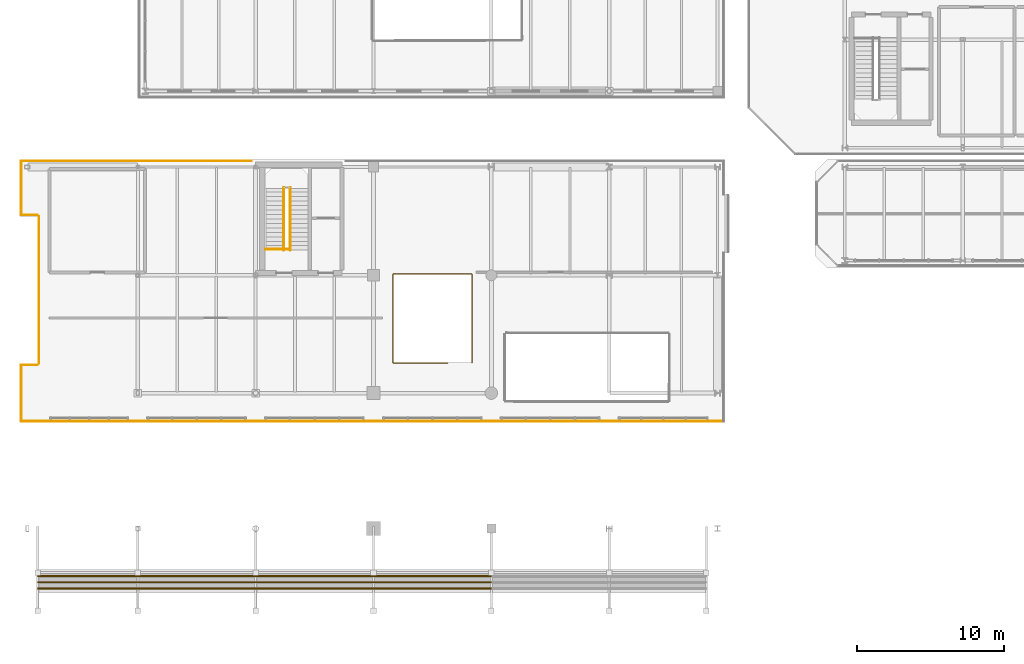
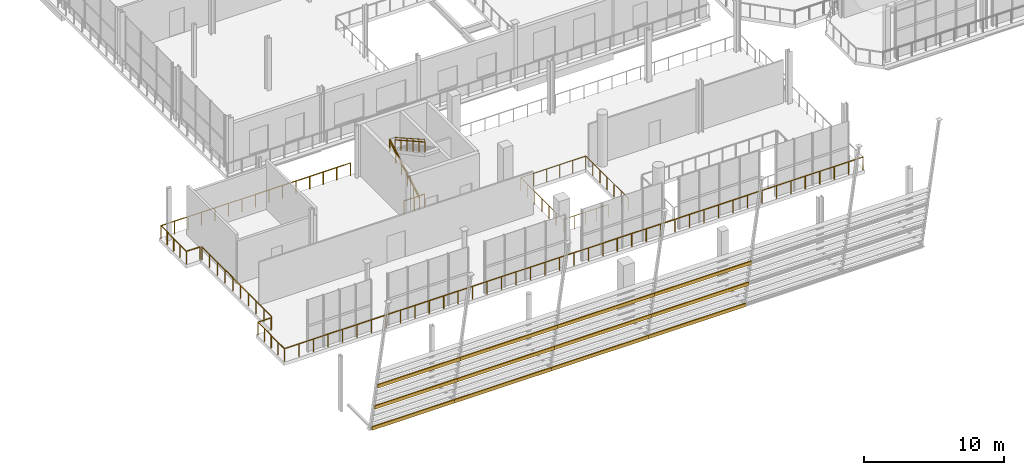
# One storey, part 79 of 93: 13 railings, 12 coverings.
"""IFC4 building model written with IfcOpenShell, lengths in metres."""

from ifc_helpers import new_model, si_unit, direction, frame, origin, origin_2d, place, context, subcontext, project, spatial, rectangle, circle, extrude, material, layer, layer_set, type_object, element, save


model = new_model("IFC4")

# Units and contexts
model_context = context("Model", 3, precision=1e-05, world=origin(), true_north=direction((0.0, 1.0)))
body_context = subcontext(model_context, "Body", "Model", "MODEL_VIEW")
ifc_project = project(units=[si_unit("LENGTHUNIT", "METRE"), si_unit("AREAUNIT", "SQUARE_METRE"), si_unit("VOLUMEUNIT", "CUBIC_METRE"), si_unit("PLANEANGLEUNIT", "RADIAN"), si_unit("MASSUNIT", "GRAM", prefix="KILO")], contexts=[model_context])

# Site, building, storey
site_placement = place(None, origin())
site = spatial("IfcSite", under=ifc_project, at=site_placement, CompositionType="ELEMENT")
building_placement = place(site_placement, origin())
building = spatial("IfcBuilding", under=site, at=building_placement, Name="Brisemont Oceanarium", CompositionType="ELEMENT")
storey_placement = place(building_placement, frame((0.0, 0.0, 5.39990234375)))
storey = spatial("IfcBuildingStorey", under=building, at=storey_placement, Name="L01", CompositionType="ELEMENT", Elevation=5.39990234375)

# Coverings
ifc_material_1 = material(Name="Architectural Bronze-Anodized Cedar Composite")
ifc_layer = layer(ifc_material_1, 0.044921875)
ifc_layer_set = layer_set([ifc_layer], Name="Architectural Bronze-Anodized Cedar Composite")
covering_type = type_object("IfcCoveringType", Name="COV-CLAD-CEDAR", PredefinedType="CLADDING", material=ifc_layer_set)
covering_1_placement = place(storey_placement, frame((12.60009765625, 3.58642578125, -0.02001953125), z_axis=(0.0, 0.0, 1.0), x_axis=(1.0, 0.0, 0.0)))
element("IfcCovering", 1, at=covering_1_placement, inside=storey, type_object=covering_type, Name="V2 stepped spandrel cladding course 1.1", PredefinedType="CLADDING", context=body_context, shape_type="SweptSolid", body=[
    extrude(rectangle(XDim=6.800048828125, YDim=0.080078125, at=origin_2d()), origin(), (0.0, 0.0, 1.0), 0.300048828125),
])
for number, where, z_axis, x_axis, name in (
    (2, (20.0, 3.58642578125, -0.02001953125), (0.0, 0.0, 1.0), (1.0, 0.0, 0.0), "V2 stepped spandrel cladding course 1.2"),
    (3, (28.0, 3.58642578125, -0.02001953125), (0.0, 0.0, 1.0), (1.0, 0.0, 0.0), "V2 stepped spandrel cladding course 1.3"),
    (4, (36.0, 3.58642578125, -0.02001953125), (0.0, 0.0, 1.0), (1.0, 0.0, 0.0), "V2 stepped spandrel cladding course 1.4"),
):
    element("IfcCovering", number, at=place(storey_placement, frame(where, z_axis=z_axis, x_axis=x_axis)), inside=storey, type_object=covering_type, Name=name, PredefinedType="CLADDING", context=body_context, shape_type="SweptSolid", body=[
        extrude(rectangle(XDim=8.0, YDim=0.080078125, at=origin_2d()), origin(), (0.0, 0.0, 1.0), 0.300048828125),
    ])
covering_2_placement = place(storey_placement, frame((12.60009765625, 3.1591796875, 2.080078125), z_axis=(0.0, 0.0, 1.0), x_axis=(1.0, 0.0, 0.0)))
element("IfcCovering", 5, at=covering_2_placement, inside=storey, type_object=covering_type, Name="V2 stepped spandrel cladding course 2.1", PredefinedType="CLADDING", context=body_context, shape_type="SweptSolid", body=[
    extrude(rectangle(XDim=6.800048828125, YDim=0.080078125, at=origin_2d()), origin(), (0.0, 0.0, 1.0), 0.300048828125),
])
for number, where, z_axis, x_axis, name in (
    (6, (20.0, 3.1591796875, 2.080078125), (0.0, 0.0, 1.0), (1.0, 0.0, 0.0), "V2 stepped spandrel cladding course 2.2"),
    (7, (28.0, 3.1591796875, 2.080078125), (0.0, 0.0, 1.0), (1.0, 0.0, 0.0), "V2 stepped spandrel cladding course 2.3"),
    (8, (36.0, 3.1591796875, 2.080078125), (0.0, 0.0, 1.0), (1.0, 0.0, 0.0), "V2 stepped spandrel cladding course 2.4"),
):
    element("IfcCovering", number, at=place(storey_placement, frame(where, z_axis=z_axis, x_axis=x_axis)), inside=storey, type_object=covering_type, Name=name, PredefinedType="CLADDING", context=body_context, shape_type="SweptSolid", body=[
        extrude(rectangle(XDim=8.0, YDim=0.080078125, at=origin_2d()), origin(), (0.0, 0.0, 1.0), 0.300048828125),
    ])
covering_3_placement = place(storey_placement, frame((12.60009765625, 2.73193359375, 4.18017578125), z_axis=(0.0, 0.0, 1.0), x_axis=(1.0, 0.0, 0.0)))
element("IfcCovering", 9, at=covering_3_placement, inside=storey, type_object=covering_type, Name="V2 stepped spandrel cladding course 3.1", PredefinedType="CLADDING", context=body_context, shape_type="SweptSolid", body=[
    extrude(rectangle(XDim=6.800048828125, YDim=0.080078125, at=origin_2d()), origin(), (0.0, 0.0, 1.0), 0.300048828125),
])
for number, where, z_axis, x_axis, name in (
    (10, (20.0, 2.73193359375, 4.18017578125), (0.0, 0.0, 1.0), (1.0, 0.0, 0.0), "V2 stepped spandrel cladding course 3.2"),
    (11, (28.0, 2.73193359375, 4.18017578125), (0.0, 0.0, 1.0), (1.0, 0.0, 0.0), "V2 stepped spandrel cladding course 3.3"),
    (12, (36.0, 2.73193359375, 4.18017578125), (0.0, 0.0, 1.0), (1.0, 0.0, 0.0), "V2 stepped spandrel cladding course 3.4"),
):
    element("IfcCovering", number, at=place(storey_placement, frame(where, z_axis=z_axis, x_axis=x_axis)), inside=storey, type_object=covering_type, Name=name, PredefinedType="CLADDING", context=body_context, shape_type="SweptSolid", body=[
        extrude(rectangle(XDim=8.0, YDim=0.080078125, at=origin_2d()), origin(), (0.0, 0.0, 1.0), 0.300048828125),
    ])

# Railings
ifc_material_2 = material(Name="Beaux-Arts Limestone Balustrade Precast Concrete C40/50", Category="masonry")
railing_type_1 = type_object("IfcRailingType", Name="RLG-BAL-1140", PredefinedType="BALUSTRADE", material=ifc_material_2)
railing_1_placement = place(storey_placement, frame((37.0400390625, 18.050048828125, 0.0)))
element("IfcRailing", 13, at=railing_1_placement, inside=storey, type_object=railing_type_1, Name="ST-10 L01 well balustrade", PredefinedType="BALUSTRADE", context=body_context, shape_type="SweptSolid", body=[
    extrude(circle(Radius=0.02392578125, at=origin_2d()), frame((0.0, 0.0, 1.11572265625), z_axis=(-1.0, 0.0, 0.0), x_axis=(0.0, -1.0, 0.0)), (0.0, 0.0, 1.0), 3.719970703125),
    extrude(circle(Radius=0.02392578125, at=origin_2d()), frame((-3.719970703125, 0.0, 1.11572265625), z_axis=(0.0, 1.0, 0.0), x_axis=(-1.0, 0.0, 0.0)), (0.0, 0.0, 1.0), 6.030029296875),
    extrude(circle(Radius=0.02392578125, at=origin_2d()), frame((-3.719970703125, 6.030029296875, 1.11572265625), z_axis=(1.0, 0.0, 0.0), x_axis=(0.0, 1.0, 0.0)), (0.0, 0.0, 1.0), 5.35986328125),
    extrude(circle(Radius=0.02392578125, at=origin_2d()), frame((1.639892578125, 6.030029296875, 1.11572265625), z_axis=(0.0, -1.0, 0.0), x_axis=(1.0, 0.0, 0.0)), (0.0, 0.0, 1.0), 6.030029296875),
    extrude(circle(Radius=0.02099609375, at=origin_2d()), origin(), (0.0, 0.0, 1.0), 1.091796875),
    extrude(circle(Radius=0.02099609375, at=origin_2d()), frame((-0.929931640625, 0.0, 0.0)), (0.0, 0.0, 1.0), 1.091796875),
    extrude(circle(Radius=0.02099609375, at=origin_2d()), frame((-1.85986328125, 0.0, 0.0)), (0.0, 0.0, 1.0), 1.091796875),
    extrude(circle(Radius=0.02099609375, at=origin_2d()), frame((-2.7900390625, 0.0, 0.0)), (0.0, 0.0, 1.0), 1.091796875),
    extrude(circle(Radius=0.02099609375, at=origin_2d()), frame((-3.719970703125, 0.0, 0.0)), (0.0, 0.0, 1.0), 1.091796875),
    extrude(circle(Radius=0.02099609375, at=origin_2d()), frame((-3.719970703125, 1.0048828125, 0.0)), (0.0, 0.0, 1.0), 1.091796875),
    extrude(circle(Radius=0.02099609375, at=origin_2d()), frame((-3.719970703125, 2.010009765625, 0.0)), (0.0, 0.0, 1.0), 1.091796875),
    extrude(circle(Radius=0.02099609375, at=origin_2d()), frame((-3.719970703125, 3.01513671875, 0.0)), (0.0, 0.0, 1.0), 1.091796875),
    extrude(circle(Radius=0.02099609375, at=origin_2d()), frame((-3.719970703125, 4.02001953125, 0.0)), (0.0, 0.0, 1.0), 1.091796875),
    extrude(circle(Radius=0.02099609375, at=origin_2d()), frame((-3.719970703125, 5.02490234375, 0.0)), (0.0, 0.0, 1.0), 1.091796875),
    extrude(circle(Radius=0.02099609375, at=origin_2d()), frame((-3.719970703125, 6.030029296875, 0.0)), (0.0, 0.0, 1.0), 1.091796875),
    extrude(circle(Radius=0.02099609375, at=origin_2d()), frame((-2.64794921875, 6.030029296875, 0.0)), (0.0, 0.0, 1.0), 1.091796875),
    extrude(circle(Radius=0.02099609375, at=origin_2d()), frame((-1.575927734375, 6.030029296875, 0.0)), (0.0, 0.0, 1.0), 1.091796875),
    extrude(circle(Radius=0.02099609375, at=origin_2d()), frame((-0.504150390625, 6.030029296875, 0.0)), (0.0, 0.0, 1.0), 1.091796875),
    extrude(circle(Radius=0.02099609375, at=origin_2d()), frame((0.56787109375, 6.030029296875, 0.0)), (0.0, 0.0, 1.0), 1.091796875),
    extrude(circle(Radius=0.02099609375, at=origin_2d()), frame((1.639892578125, 6.030029296875, 0.0)), (0.0, 0.0, 1.0), 1.091796875),
    extrude(circle(Radius=0.02099609375, at=origin_2d()), frame((1.639892578125, 5.02490234375, 0.0)), (0.0, 0.0, 1.0), 1.091796875),
    extrude(circle(Radius=0.02099609375, at=origin_2d()), frame((1.639892578125, 4.02001953125, 0.0)), (0.0, 0.0, 1.0), 1.091796875),
    extrude(circle(Radius=0.02099609375, at=origin_2d()), frame((1.639892578125, 3.01513671875, 0.0)), (0.0, 0.0, 1.0), 1.091796875),
    extrude(circle(Radius=0.02099609375, at=origin_2d()), frame((1.639892578125, 2.010009765625, 0.0)), (0.0, 0.0, 1.0), 1.091796875),
    extrude(circle(Radius=0.02099609375, at=origin_2d()), frame((1.639892578125, 1.0048828125, 0.0)), (0.0, 0.0, 1.0), 1.091796875),
    extrude(circle(Radius=0.02099609375, at=origin_2d()), frame((1.639892578125, 0.0, 0.0)), (0.0, 0.0, 1.0), 1.091796875),
])
railing_2_placement = place(storey_placement, frame((9.2900390625, 18.02001953125, 0.0)))
element("IfcRailing", 14, at=railing_2_placement, inside=storey, type_object=railing_type_1, Name="L01 slab perimeter safety guard 76", PredefinedType="BALUSTRADE", context=body_context, shape_type="SweptSolid", body=[
    extrude(circle(Radius=0.02392578125, at=origin_2d()), frame((0.0, 0.0, 1.11572265625), z_axis=(-2.4496595e-05, 0.9999999997, 0.0), x_axis=(-0.9999999997, -2.4496595e-05, 0.0)), (0.0, 0.0, 1.0), 9.96630859375),
    extrude(circle(Radius=0.02099609375, at=origin_2d()), origin(), (0.0, 0.0, 1.0), 1.091796875),
    extrude(circle(Radius=0.02099609375, at=origin_2d()), frame((0.0, 1.107421875, 0.0)), (0.0, 0.0, 1.0), 1.091796875),
    extrude(circle(Radius=0.02099609375, at=origin_2d()), frame((0.0, 2.21484375, 0.0)), (0.0, 0.0, 1.0), 1.091796875),
    extrude(circle(Radius=0.02099609375, at=origin_2d()), frame((0.0, 3.322021484375, 0.0)), (0.0, 0.0, 1.0), 1.091796875),
    extrude(circle(Radius=0.02099609375, at=origin_2d()), frame((0.0, 4.429443359375, 0.0)), (0.0, 0.0, 1.0), 1.091796875),
    extrude(circle(Radius=0.02099609375, at=origin_2d()), frame((-0.000244140625, 5.536865234375, 0.0)), (0.0, 0.0, 1.0), 1.091796875),
    extrude(circle(Radius=0.02099609375, at=origin_2d()), frame((-0.000244140625, 6.644287109375, 0.0)), (0.0, 0.0, 1.0), 1.091796875),
    extrude(circle(Radius=0.02099609375, at=origin_2d()), frame((-0.000244140625, 7.75146484375, 0.0)), (0.0, 0.0, 1.0), 1.091796875),
    extrude(circle(Radius=0.02099609375, at=origin_2d()), frame((-0.000244140625, 8.85888671875, 0.0)), (0.0, 0.0, 1.0), 1.091796875),
    extrude(circle(Radius=0.02099609375, at=origin_2d()), frame((-0.000244140625, 9.96630859375, 0.0)), (0.0, 0.0, 1.0), 1.091796875),
])
railing_3_placement = place(storey_placement, frame((55.760009765625, 14.090576171875, 0.0)))
element("IfcRailing", 15, at=railing_3_placement, inside=storey, type_object=railing_type_1, Name="L01 slab perimeter safety guard 84", PredefinedType="BALUSTRADE", context=body_context, shape_type="SweptSolid", body=[
    extrude(circle(Radius=0.02392578125, at=origin_2d()), frame((0.0, 0.0, 1.11572265625), z_axis=(-0.999999999948, -1.0243068e-05, 0.0), x_axis=(1.0243068e-05, -0.999999999948, 0.0)), (0.0, 0.0, 1.0), 47.66943359375),
    extrude(circle(Radius=0.02099609375, at=origin_2d()), origin(), (0.0, 0.0, 1.0), 1.091796875),
    extrude(circle(Radius=0.02099609375, at=origin_2d()), frame((-1.191650390625, 0.0, 0.0)), (0.0, 0.0, 1.0), 1.091796875),
    extrude(circle(Radius=0.02099609375, at=origin_2d()), frame((-2.383544921875, 0.0, 0.0)), (0.0, 0.0, 1.0), 1.091796875),
    extrude(circle(Radius=0.02099609375, at=origin_2d()), frame((-3.5751953125, 0.0, 0.0)), (0.0, 0.0, 1.0), 1.091796875),
    extrude(circle(Radius=0.02099609375, at=origin_2d()), frame((-4.766845703125, 0.0, 0.0)), (0.0, 0.0, 1.0), 1.091796875),
    extrude(circle(Radius=0.02099609375, at=origin_2d()), frame((-5.958740234375, 0.0, 0.0)), (0.0, 0.0, 1.0), 1.091796875),
    extrude(circle(Radius=0.02099609375, at=origin_2d()), frame((-7.150390625, 0.0, 0.0)), (0.0, 0.0, 1.0), 1.091796875),
    extrude(circle(Radius=0.02099609375, at=origin_2d()), frame((-8.342041015625, 0.0, 0.0)), (0.0, 0.0, 1.0), 1.091796875),
    extrude(circle(Radius=0.02099609375, at=origin_2d()), frame((-9.533935546875, 0.0, 0.0)), (0.0, 0.0, 1.0), 1.091796875),
    extrude(circle(Radius=0.02099609375, at=origin_2d()), frame((-10.7255859375, 0.0, 0.0)), (0.0, 0.0, 1.0), 1.091796875),
    extrude(circle(Radius=0.02099609375, at=origin_2d()), frame((-11.91748046875, 0.0, 0.0)), (0.0, 0.0, 1.0), 1.091796875),
    extrude(circle(Radius=0.02099609375, at=origin_2d()), frame((-13.109130859375, -0.000244140625, 0.0)), (0.0, 0.0, 1.0), 1.091796875),
    extrude(circle(Radius=0.02099609375, at=origin_2d()), frame((-14.30078125, -0.000244140625, 0.0)), (0.0, 0.0, 1.0), 1.091796875),
    extrude(circle(Radius=0.02099609375, at=origin_2d()), frame((-15.49267578125, -0.000244140625, 0.0)), (0.0, 0.0, 1.0), 1.091796875),
    extrude(circle(Radius=0.02099609375, at=origin_2d()), frame((-16.684326171875, -0.000244140625, 0.0)), (0.0, 0.0, 1.0), 1.091796875),
    extrude(circle(Radius=0.02099609375, at=origin_2d()), frame((-17.8759765625, -0.000244140625, 0.0)), (0.0, 0.0, 1.0), 1.091796875),
    extrude(circle(Radius=0.02099609375, at=origin_2d()), frame((-19.06787109375, -0.000244140625, 0.0)), (0.0, 0.0, 1.0), 1.091796875),
    extrude(circle(Radius=0.02099609375, at=origin_2d()), frame((-20.259521484375, -0.000244140625, 0.0)), (0.0, 0.0, 1.0), 1.091796875),
    extrude(circle(Radius=0.02099609375, at=origin_2d()), frame((-21.451171875, -0.000244140625, 0.0)), (0.0, 0.0, 1.0), 1.091796875),
    extrude(circle(Radius=0.02099609375, at=origin_2d()), frame((-22.64306640625, -0.000244140625, 0.0)), (0.0, 0.0, 1.0), 1.091796875),
    extrude(circle(Radius=0.02099609375, at=origin_2d()), frame((-23.834716796875, -0.000244140625, 0.0)), (0.0, 0.0, 1.0), 1.091796875),
    extrude(circle(Radius=0.02099609375, at=origin_2d()), frame((-25.0263671875, -0.000244140625, 0.0)), (0.0, 0.0, 1.0), 1.091796875),
    extrude(circle(Radius=0.02099609375, at=origin_2d()), frame((-26.21826171875, -0.000244140625, 0.0)), (0.0, 0.0, 1.0), 1.091796875),
    extrude(circle(Radius=0.02099609375, at=origin_2d()), frame((-27.409912109375, -0.000244140625, 0.0)), (0.0, 0.0, 1.0), 1.091796875),
    extrude(circle(Radius=0.02099609375, at=origin_2d()), frame((-28.6015625, -0.000244140625, 0.0)), (0.0, 0.0, 1.0), 1.091796875),
    extrude(circle(Radius=0.02099609375, at=origin_2d()), frame((-29.79345703125, -0.000244140625, 0.0)), (0.0, 0.0, 1.0), 1.091796875),
    extrude(circle(Radius=0.02099609375, at=origin_2d()), frame((-30.985107421875, -0.000244140625, 0.0)), (0.0, 0.0, 1.0), 1.091796875),
    extrude(circle(Radius=0.02099609375, at=origin_2d()), frame((-32.1767578125, -0.000244140625, 0.0)), (0.0, 0.0, 1.0), 1.091796875),
    extrude(circle(Radius=0.02099609375, at=origin_2d()), frame((-33.36865234375, -0.000244140625, 0.0)), (0.0, 0.0, 1.0), 1.091796875),
    extrude(circle(Radius=0.02099609375, at=origin_2d()), frame((-34.560302734375, -0.000244140625, 0.0)), (0.0, 0.0, 1.0), 1.091796875),
    extrude(circle(Radius=0.02099609375, at=origin_2d()), frame((-35.751953125, -0.00048828125, 0.0)), (0.0, 0.0, 1.0), 1.091796875),
    extrude(circle(Radius=0.02099609375, at=origin_2d()), frame((-36.94384765625, -0.00048828125, 0.0)), (0.0, 0.0, 1.0), 1.091796875),
    extrude(circle(Radius=0.02099609375, at=origin_2d()), frame((-38.135498046875, -0.00048828125, 0.0)), (0.0, 0.0, 1.0), 1.091796875),
    extrude(circle(Radius=0.02099609375, at=origin_2d()), frame((-39.327392578125, -0.00048828125, 0.0)), (0.0, 0.0, 1.0), 1.091796875),
    extrude(circle(Radius=0.02099609375, at=origin_2d()), frame((-40.51904296875, -0.00048828125, 0.0)), (0.0, 0.0, 1.0), 1.091796875),
    extrude(circle(Radius=0.02099609375, at=origin_2d()), frame((-41.710693359375, -0.00048828125, 0.0)), (0.0, 0.0, 1.0), 1.091796875),
    extrude(circle(Radius=0.02099609375, at=origin_2d()), frame((-42.902587890625, -0.00048828125, 0.0)), (0.0, 0.0, 1.0), 1.091796875),
    extrude(circle(Radius=0.02099609375, at=origin_2d()), frame((-44.09423828125, -0.00048828125, 0.0)), (0.0, 0.0, 1.0), 1.091796875),
    extrude(circle(Radius=0.02099609375, at=origin_2d()), frame((-45.285888671875, -0.00048828125, 0.0)), (0.0, 0.0, 1.0), 1.091796875),
    extrude(circle(Radius=0.02099609375, at=origin_2d()), frame((-46.477783203125, -0.00048828125, 0.0)), (0.0, 0.0, 1.0), 1.091796875),
    extrude(circle(Radius=0.02099609375, at=origin_2d()), frame((-47.66943359375, -0.00048828125, 0.0)), (0.0, 0.0, 1.0), 1.091796875),
])
ifc_material_3 = material(Name="Duplex Stainless Steel EN 1.4462", Category="steel")
railing_type_2 = type_object("IfcRailingType", Name="RLG-GUARD-1120", PredefinedType="GUARDRAIL", material=ifc_material_3)
railing_4_placement = place(storey_placement, frame((24.669921875, 25.760009765625, 0.0)))
element("IfcRailing", 16, at=railing_4_placement, inside=storey, type_object=railing_type_2, Name="ST-03 L01 landing edge guard", PredefinedType="GUARDRAIL", context=body_context, shape_type="SweptSolid", body=[
    extrude(circle(Radius=0.02392578125, at=origin_2d()), frame((0.0, 0.0, 1.09619140625), z_axis=(1.0, 0.0, 0.0), x_axis=(0.0, 1.0, 0.0)), (0.0, 0.0, 1.0), 1.68017578125),
    extrude(circle(Radius=0.02099609375, at=origin_2d()), origin(), (0.0, 0.0, 1.0), 1.072021484375),
    extrude(circle(Radius=0.02099609375, at=origin_2d()), frame((0.840087890625, 0.0, 0.0)), (0.0, 0.0, 1.0), 1.072021484375),
    extrude(circle(Radius=0.02099609375, at=origin_2d()), frame((1.68017578125, 0.0, 0.0)), (0.0, 0.0, 1.0), 1.072021484375),
])
railing_5_placement = place(storey_placement, frame((25.909912109375, 25.699951171875, 0.0)))
element("IfcRailing", 17, at=railing_5_placement, inside=storey, type_object=railing_type_2, Name="ST-03 L01 F1 well guard", PredefinedType="GUARDRAIL", context=body_context, shape_type="SweptSolid", body=[
    extrude(circle(Radius=0.02392578125, at=origin_2d()), frame((0.0, 0.0, 1.09619140625), z_axis=(0.0, 0.870740716755, 0.491742416499), x_axis=(-1.0, 0.0, 0.0)), (0.0, 0.0, 1.0), 4.880859375),
    extrude(circle(Radius=0.02099609375, at=origin_2d()), origin(), (0.0, 0.0, 1.0), 1.072021484375),
    extrude(circle(Radius=0.02099609375, at=origin_2d()), frame((0.0, 0.85009765625, 0.47998046875)), (0.0, 0.0, 1.0), 1.072021484375),
    extrude(circle(Radius=0.02099609375, at=origin_2d()), frame((0.0, 1.699951171875, 0.9599609375)), (0.0, 0.0, 1.0), 1.072021484375),
    extrude(circle(Radius=0.02099609375, at=origin_2d()), frame((0.0, 2.550048828125, 1.440185546875)), (0.0, 0.0, 1.0), 1.072021484375),
    extrude(circle(Radius=0.02099609375, at=origin_2d()), frame((0.0, 3.39990234375, 1.920166015625)), (0.0, 0.0, 1.0), 1.072021484375),
    extrude(circle(Radius=0.02099609375, at=origin_2d()), frame((0.0, 4.25, 2.400146484375)), (0.0, 0.0, 1.0), 1.072021484375),
])
railing_6_placement = place(storey_placement, frame((26.35009765625, 29.949951171875, 2.400146484375)))
element("IfcRailing", 18, at=railing_6_placement, inside=storey, type_object=railing_type_2, Name="ST-03 L01 F2 well guard", PredefinedType="GUARDRAIL", context=body_context, shape_type="SweptSolid", body=[
    extrude(circle(Radius=0.02392578125, at=origin_2d()), frame((0.0, 0.0, 1.09619140625), z_axis=(0.0, -0.870762133844, 0.491704490791), x_axis=(1.0, 0.0, 0.0)), (0.0, 0.0, 1.0), 4.880859375),
    extrude(circle(Radius=0.02099609375, at=origin_2d()), origin(), (0.0, 0.0, 1.0), 1.072021484375),
    extrude(circle(Radius=0.02099609375, at=origin_2d()), frame((0.0, -0.85009765625, 0.47998046875)), (0.0, 0.0, 1.0), 1.072021484375),
    extrude(circle(Radius=0.02099609375, at=origin_2d()), frame((0.0, -1.699951171875, 0.9599609375)), (0.0, 0.0, 1.0), 1.072021484375),
    extrude(circle(Radius=0.02099609375, at=origin_2d()), frame((0.0, -2.550048828125, 1.43994140625)), (0.0, 0.0, 1.0), 1.072021484375),
    extrude(circle(Radius=0.02099609375, at=origin_2d()), frame((0.0, -3.39990234375, 1.919921875)), (0.0, 0.0, 1.0), 1.072021484375),
    extrude(circle(Radius=0.02099609375, at=origin_2d()), frame((0.0, -4.25, 2.39990234375)), (0.0, 0.0, 1.0), 1.072021484375),
])
railing_7_placement = place(storey_placement, frame((8.090087890625, 17.909912109375, 0.0)))
element("IfcRailing", 19, at=railing_7_placement, inside=storey, type_object=railing_type_2, Name="L01 slab perimeter safety guard 75", PredefinedType="GUARDRAIL", context=body_context, shape_type="SweptSolid", body=[
    extrude(circle(Radius=0.02392578125, at=origin_2d()), frame((0.0, 0.0, 1.09619140625), z_axis=(0.999999975199, 0.000222717144, 0.0), x_axis=(-0.000222717144, 0.999999975199, 0.0)), (0.0, 0.0, 1.0), 1.09619140625),
    extrude(circle(Radius=0.02099609375, at=origin_2d()), origin(), (0.0, 0.0, 1.0), 1.072021484375),
    extrude(circle(Radius=0.02099609375, at=origin_2d()), frame((1.09619140625, 0.000244140625, 0.0)), (0.0, 0.0, 1.0), 1.072021484375),
])
railing_8_placement = place(storey_placement, frame((9.186279296875, 28.08984375, 0.0)))
element("IfcRailing", 20, at=railing_8_placement, inside=storey, type_object=railing_type_2, Name="L01 slab perimeter safety guard 77", PredefinedType="GUARDRAIL", context=body_context, shape_type="SweptSolid", body=[
    extrude(circle(Radius=0.02392578125, at=origin_2d()), frame((0.0, 0.0, 1.09619140625), z_axis=(-0.999999975176, 0.000222816394, 0.0), x_axis=(-0.000222816394, -0.999999975176, 0.0)), (0.0, 0.0, 1.0), 1.095703125),
    extrude(circle(Radius=0.02099609375, at=origin_2d()), origin(), (0.0, 0.0, 1.0), 1.072021484375),
    extrude(circle(Radius=0.02099609375, at=origin_2d()), frame((-1.095703125, 0.000244140625, 0.0)), (0.0, 0.0, 1.0), 1.072021484375),
])
railing_9_placement = place(storey_placement, frame((8.090576171875, 28.090087890625, 0.0)))
element("IfcRailing", 21, at=railing_9_placement, inside=storey, type_object=railing_type_2, Name="L01 slab perimeter safety guard 78", PredefinedType="GUARDRAIL", context=body_context, shape_type="SweptSolid", body=[
    extrude(circle(Radius=0.02392578125, at=origin_2d()), frame((0.0, 0.0, 1.09619140625), z_axis=(-0.000133067198, 0.999999991147, 0.0), x_axis=(-0.999999991147, -0.000133067198, 0.0)), (0.0, 0.0, 1.0), 3.66943359375),
    extrude(circle(Radius=0.02099609375, at=origin_2d()), origin(), (0.0, 0.0, 1.0), 1.072021484375),
    extrude(circle(Radius=0.02099609375, at=origin_2d()), frame((0.0, 0.91748046875, 0.0)), (0.0, 0.0, 1.0), 1.072021484375),
    extrude(circle(Radius=0.02099609375, at=origin_2d()), frame((-0.000244140625, 1.834716796875, 0.0)), (0.0, 0.0, 1.0), 1.072021484375),
    extrude(circle(Radius=0.02099609375, at=origin_2d()), frame((-0.00048828125, 2.751953125, 0.0)), (0.0, 0.0, 1.0), 1.072021484375),
    extrude(circle(Radius=0.02099609375, at=origin_2d()), frame((-0.00048828125, 3.66943359375, 0.0)), (0.0, 0.0, 1.0), 1.072021484375),
])
railing_10_placement = place(storey_placement, frame((8.090087890625, 31.759521484375, 0.0)))
element("IfcRailing", 22, at=railing_10_placement, inside=storey, type_object=railing_type_2, Name="L01 slab perimeter safety guard 79", PredefinedType="GUARDRAIL", context=body_context, shape_type="SweptSolid", body=[
    extrude(circle(Radius=0.02392578125, at=origin_2d()), frame((0.0, 0.0, 1.09619140625), z_axis=(0.999999999878, 1.5637217e-05, 0.0), x_axis=(-1.5637217e-05, 0.999999999878, 0.0)), (0.0, 0.0, 1.0), 15.61279296875),
    extrude(circle(Radius=0.02099609375, at=origin_2d()), origin(), (0.0, 0.0, 1.0), 1.072021484375),
    extrude(circle(Radius=0.02099609375, at=origin_2d()), frame((1.115234375, 0.0, 0.0)), (0.0, 0.0, 1.0), 1.072021484375),
    extrude(circle(Radius=0.02099609375, at=origin_2d()), frame((2.23046875, 0.0, 0.0)), (0.0, 0.0, 1.0), 1.072021484375),
    extrude(circle(Radius=0.02099609375, at=origin_2d()), frame((3.345703125, 0.0, 0.0)), (0.0, 0.0, 1.0), 1.072021484375),
    extrude(circle(Radius=0.02099609375, at=origin_2d()), frame((4.460693359375, 0.0, 0.0)), (0.0, 0.0, 1.0), 1.072021484375),
    extrude(circle(Radius=0.02099609375, at=origin_2d()), frame((5.575927734375, 0.0, 0.0)), (0.0, 0.0, 1.0), 1.072021484375),
    extrude(circle(Radius=0.02099609375, at=origin_2d()), frame((6.691162109375, 0.0, 0.0)), (0.0, 0.0, 1.0), 1.072021484375),
    extrude(circle(Radius=0.02099609375, at=origin_2d()), frame((7.806396484375, 0.0, 0.0)), (0.0, 0.0, 1.0), 1.072021484375),
    extrude(circle(Radius=0.02099609375, at=origin_2d()), frame((8.921630859375, 0.000244140625, 0.0)), (0.0, 0.0, 1.0), 1.072021484375),
    extrude(circle(Radius=0.02099609375, at=origin_2d()), frame((10.036865234375, 0.000244140625, 0.0)), (0.0, 0.0, 1.0), 1.072021484375),
    extrude(circle(Radius=0.02099609375, at=origin_2d()), frame((11.152099609375, 0.000244140625, 0.0)), (0.0, 0.0, 1.0), 1.072021484375),
    extrude(circle(Radius=0.02099609375, at=origin_2d()), frame((12.26708984375, 0.000244140625, 0.0)), (0.0, 0.0, 1.0), 1.072021484375),
    extrude(circle(Radius=0.02099609375, at=origin_2d()), frame((13.38232421875, 0.000244140625, 0.0)), (0.0, 0.0, 1.0), 1.072021484375),
    extrude(circle(Radius=0.02099609375, at=origin_2d()), frame((14.49755859375, 0.000244140625, 0.0)), (0.0, 0.0, 1.0), 1.072021484375),
    extrude(circle(Radius=0.02099609375, at=origin_2d()), frame((15.61279296875, 0.000244140625, 0.0)), (0.0, 0.0, 1.0), 1.072021484375),
])
railing_11_placement = place(storey_placement, frame((8.090576171875, 14.090087890625, 0.0)))
element("IfcRailing", 23, at=railing_11_placement, inside=storey, type_object=railing_type_2, Name="L01 slab perimeter safety guard 85", PredefinedType="GUARDRAIL", context=body_context, shape_type="SweptSolid", body=[
    extrude(circle(Radius=0.02392578125, at=origin_2d()), frame((0.0, 0.0, 1.09619140625), z_axis=(-0.000127828198, 0.99999999183, 0.0), x_axis=(-0.99999999183, -0.000127828198, 0.0)), (0.0, 0.0, 1.0), 3.81982421875),
    extrude(circle(Radius=0.02099609375, at=origin_2d()), origin(), (0.0, 0.0, 1.0), 1.072021484375),
    extrude(circle(Radius=0.02099609375, at=origin_2d()), frame((0.0, 0.955078125, 0.0)), (0.0, 0.0, 1.0), 1.072021484375),
    extrude(circle(Radius=0.02099609375, at=origin_2d()), frame((-0.000244140625, 1.909912109375, 0.0)), (0.0, 0.0, 1.0), 1.072021484375),
    extrude(circle(Radius=0.02099609375, at=origin_2d()), frame((-0.00048828125, 2.86474609375, 0.0)), (0.0, 0.0, 1.0), 1.072021484375),
    extrude(circle(Radius=0.02099609375, at=origin_2d()), frame((-0.00048828125, 3.81982421875, 0.0)), (0.0, 0.0, 1.0), 1.072021484375),
])
ifc_material_4 = material(Name="Duplex Stainless Steel EN 1.4462", Category="steel")
railing_type_3 = type_object("IfcRailingType", Name="RLG-HAND-900", PredefinedType="HANDRAIL", material=ifc_material_4)
railing_12_placement = place(storey_placement, frame((25.909912109375, 25.699951171875, 0.0)))
element("IfcRailing", 24, at=railing_12_placement, inside=storey, type_object=railing_type_3, Name="ST-03 L01 F1 handrail", PredefinedType="HANDRAIL", context=body_context, shape_type="SweptSolid", body=[
    extrude(circle(Radius=0.02392578125, at=origin_2d()), frame((0.0, 0.0, 0.8759765625), z_axis=(0.0, 0.870740716755, 0.491742416499), x_axis=(-1.0, 0.0, 0.0)), (0.0, 0.0, 1.0), 4.880859375),
    extrude(circle(Radius=0.02099609375, at=origin_2d()), origin(), (0.0, 0.0, 1.0), 0.851806640625),
    extrude(circle(Radius=0.02099609375, at=origin_2d()), frame((0.0, 0.85009765625, 0.47998046875)), (0.0, 0.0, 1.0), 0.851806640625),
    extrude(circle(Radius=0.02099609375, at=origin_2d()), frame((0.0, 1.699951171875, 0.9599609375)), (0.0, 0.0, 1.0), 0.851806640625),
    extrude(circle(Radius=0.02099609375, at=origin_2d()), frame((0.0, 2.550048828125, 1.440185546875)), (0.0, 0.0, 1.0), 0.851806640625),
    extrude(circle(Radius=0.02099609375, at=origin_2d()), frame((0.0, 3.39990234375, 1.920166015625)), (0.0, 0.0, 1.0), 0.851806640625),
    extrude(circle(Radius=0.02099609375, at=origin_2d()), frame((0.0, 4.25, 2.400146484375)), (0.0, 0.0, 1.0), 0.851806640625),
])
railing_13_placement = place(storey_placement, frame((26.35009765625, 29.949951171875, 2.400146484375)))
element("IfcRailing", 25, at=railing_13_placement, inside=storey, type_object=railing_type_3, Name="ST-03 L01 F2 handrail", PredefinedType="HANDRAIL", context=body_context, shape_type="SweptSolid", body=[
    extrude(circle(Radius=0.02392578125, at=origin_2d()), frame((0.0, 0.0, 0.8759765625), z_axis=(0.0, -0.870762133844, 0.491704490791), x_axis=(1.0, 0.0, 0.0)), (0.0, 0.0, 1.0), 4.880859375),
    extrude(circle(Radius=0.02099609375, at=origin_2d()), origin(), (0.0, 0.0, 1.0), 0.851806640625),
    extrude(circle(Radius=0.02099609375, at=origin_2d()), frame((0.0, -0.85009765625, 0.47998046875)), (0.0, 0.0, 1.0), 0.851806640625),
    extrude(circle(Radius=0.02099609375, at=origin_2d()), frame((0.0, -1.699951171875, 0.9599609375)), (0.0, 0.0, 1.0), 0.851806640625),
    extrude(circle(Radius=0.02099609375, at=origin_2d()), frame((0.0, -2.550048828125, 1.43994140625)), (0.0, 0.0, 1.0), 0.851806640625),
    extrude(circle(Radius=0.02099609375, at=origin_2d()), frame((0.0, -3.39990234375, 1.919921875)), (0.0, 0.0, 1.0), 0.851806640625),
    extrude(circle(Radius=0.02099609375, at=origin_2d()), frame((0.0, -4.25, 2.39990234375)), (0.0, 0.0, 1.0), 0.851806640625),
])

save(model, "model.ifc")
